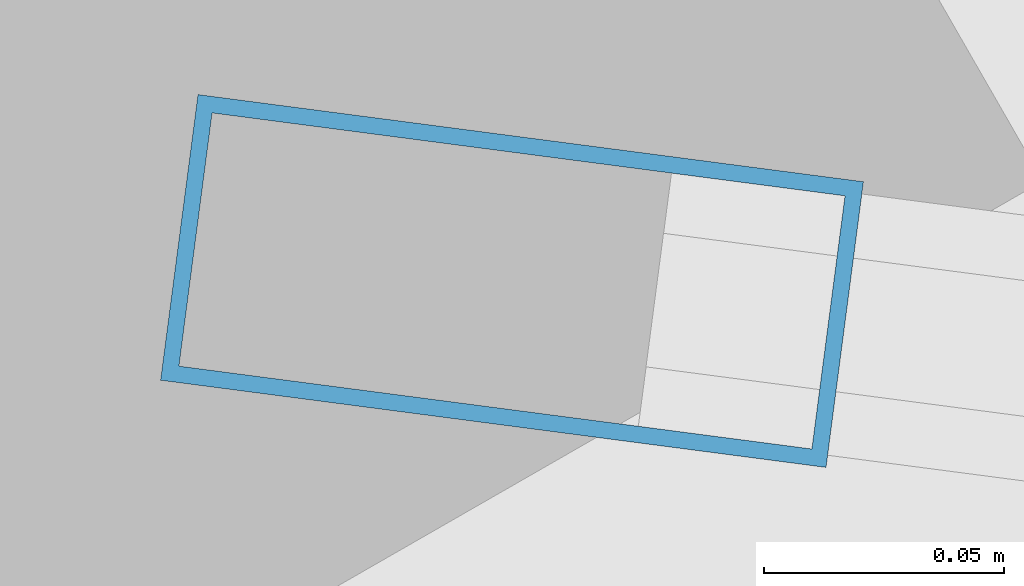
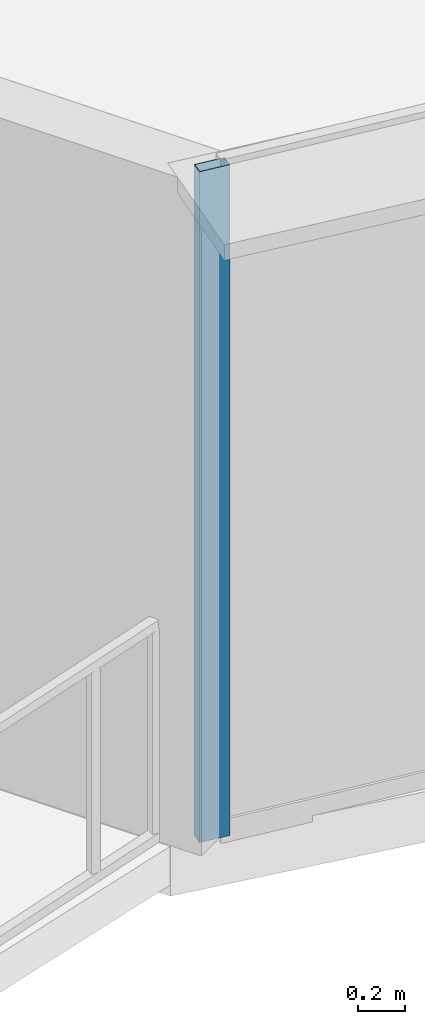
# One storey, part 2 of 35: 1 member, 1 element without a shape of its own.
"""IFC4 building model written with IfcOpenShell, lengths in metres."""

import ifcopenshell
import ifcopenshell.guid

model = None  # the IFC model being written
_history = None  # IfcOwnerHistory: only IFC2X3 demands one
_inside = {}  # id of a spatial element -> (the spatial element, [elements in it])
_under = {}  # id of a project, library or spatial element -> (it, [spatial elements below it])
_declared = {}  # id of a project -> (the project, [libraries it declares])
_typed = {}  # id of a type object -> (the type object, [elements of that type])
_made_of = {}  # id of a material, layer set ... -> (it, [elements and type objects made of it])


def new_model(schema):
    """Start an empty IFC model of exactly this schema.

    Asked for "IFC4X3", IfcOpenShell would pick the latest addendum, in which some entities
    have other attributes; the version numbers below select the first issue.
    IFC2X3 requires an IfcOwnerHistory on every rooted entity: one is made here for all.
    """
    global model, _history
    if schema == "IFC4X3":
        model = ifcopenshell.file(schema_version=(4, 3, 0, 0))
    else:
        model = ifcopenshell.file(schema=schema)
    _inside.clear()
    _under.clear()
    _declared.clear()
    _typed.clear()
    _made_of.clear()
    _history = None
    if model.schema == "IFC2X3":
        org = make("IfcOrganization", Name="unknown")
        user = make(
            "IfcPersonAndOrganization",
            ThePerson=make("IfcPerson", FamilyName="unknown"),
            TheOrganization=org,
        )
        app = make(
            "IfcApplication",
            ApplicationDeveloper=org,
            Version="unknown",
            ApplicationFullName="unknown",
            ApplicationIdentifier="unknown",
        )
        _history = make(
            "IfcOwnerHistory",
            OwningUser=user,
            OwningApplication=app,
            ChangeAction="ADDED",
            CreationDate=0,
        )
    return model


def make(cls, **values):
    """One entity of the class cls with the attributes given. An attribute that is None is left unset."""
    return model.create_entity(
        cls, **{name: value for name, value in values.items() if value is not None}
    )


def rooted(cls, **values):
    """An entity with a GlobalId (a new one), such as an element, a storey or a relation."""
    return make(cls, GlobalId=ifcopenshell.guid.new(), OwnerHistory=_history, **values)


def si_unit(unit_type, name, prefix=None):
    """IfcSIUnit, for example si_unit("LENGTHUNIT", "METRE", prefix="MILLI")."""
    return make("IfcSIUnit", UnitType=unit_type, Prefix=prefix, Name=name)


def assignment(units):
    """IfcUnitAssignment: the units of a project."""
    return None if units is None else make("IfcUnitAssignment", Units=units)


def point(xyz):
    """IfcCartesianPoint."""
    return None if xyz is None else make("IfcCartesianPoint", Coordinates=xyz)


def direction(xyz):
    """IfcDirection."""
    return None if xyz is None else make("IfcDirection", DirectionRatios=xyz)


def frame(location, z_axis=None, x_axis=None):
    """IfcAxis2Placement3D, a coordinate frame: its origin and axes. An axis left out is left unset."""
    return make(
        "IfcAxis2Placement3D",
        Location=point(location),
        Axis=direction(z_axis),
        RefDirection=direction(x_axis),
    )


def frame_2d(location, x_axis=None):
    """IfcAxis2Placement2D, a coordinate frame in the plane: its origin and x axis."""
    return make(
        "IfcAxis2Placement2D", Location=point(location), RefDirection=direction(x_axis)
    )


def origin():
    """The frame at (0, 0, 0) with its axes left unset."""
    return frame((0.0, 0.0, 0.0))


def origin_2d():
    """The frame at (0, 0) in the plane with its x axis left unset."""
    return frame_2d((0.0, 0.0))


def place(relative_to, where):
    """IfcLocalPlacement: puts the frame where relative to a parent placement (None: the world)."""
    return make(
        "IfcLocalPlacement", PlacementRelTo=relative_to, RelativePlacement=where
    )


def context(
    kind, dimensions, precision=None, world=None, true_north=None, identifier=None
):
    """IfcGeometricRepresentationContext, for example the 3D "Model" context."""
    return make(
        "IfcGeometricRepresentationContext",
        ContextIdentifier=identifier,
        ContextType=kind,
        CoordinateSpaceDimension=dimensions,
        Precision=precision,
        WorldCoordinateSystem=world,
        TrueNorth=true_north,
    )


def subcontext(parent, identifier, kind, view, scale=None):
    """IfcGeometricRepresentationSubContext, for example "Body" below "Model"."""
    return make(
        "IfcGeometricRepresentationSubContext",
        ContextIdentifier=identifier,
        ContextType=kind,
        ParentContext=parent,
        TargetScale=scale,
        TargetView=view,
    )


def project(units=None, contexts=None):
    """IfcProject with its units and contexts."""
    return rooted(
        "IfcProject",
        Name="project",
        RepresentationContexts=contexts,
        UnitsInContext=assignment(units),
    )


def spatial(cls, under=None, at=None, **own):
    """A site, building, storey or space (cls), placed at a placement, below another one or the project."""
    s = rooted(cls, ObjectPlacement=at, **own)
    if under is not None:
        _under.setdefault(under.id(), (under, []))[1].append(s)
    return s


def profile(cls, at=None, kind="AREA", **sizes):
    """A parametric profile (cls). Its sizes go by their IFC names, for example OverallWidth=200.0."""
    return make(cls, ProfileType=kind, Position=at, **sizes)


def hollow_rectangle(**sizes):
    """IfcRectangleHollowProfileDef."""
    return profile("IfcRectangleHollowProfileDef", **sizes)


def extrude(swept, where, along, depth):
    """IfcExtrudedAreaSolid: the profile swept, set in the frame where, extruded along a direction by depth."""
    return make(
        "IfcExtrudedAreaSolid",
        SweptArea=swept,
        Position=where,
        ExtrudedDirection=direction(along),
        Depth=depth,
    )


def shape(context_of_items, identifier, shape_type, items):
    """IfcShapeRepresentation: the items that make up one representation, for example the "Body"."""
    return make(
        "IfcShapeRepresentation",
        ContextOfItems=context_of_items,
        RepresentationIdentifier=identifier,
        RepresentationType=shape_type,
        Items=items,
    )


def source(mapping_origin, context_of_items, identifier, shape_type, items):
    """IfcRepresentationMap: a shape defined once, which mapped items show again and again."""
    return make(
        "IfcRepresentationMap",
        MappingOrigin=mapping_origin,
        MappedRepresentation=shape(context_of_items, identifier, shape_type, items),
    )


def transform(
    local_origin,
    x_axis=None,
    y_axis=None,
    z_axis=None,
    scale=None,
    scale2=None,
    scale3=None,
    uniform=True,
):
    """IfcCartesianTransformationOperator3D, or its non-uniform kind. x_axis, y_axis, z_axis: its Axis1, 2, 3."""
    if uniform:
        return make(
            "IfcCartesianTransformationOperator3D",
            Axis1=direction(x_axis),
            Axis2=direction(y_axis),
            LocalOrigin=point(local_origin),
            Scale=scale,
            Axis3=direction(z_axis),
        )
    return make(
        "IfcCartesianTransformationOperator3DnonUniform",
        Axis1=direction(x_axis),
        Axis2=direction(y_axis),
        LocalOrigin=point(local_origin),
        Scale=scale,
        Axis3=direction(z_axis),
        Scale2=scale2,
        Scale3=scale3,
    )


def mapped(mapping_source, mapping_target):
    """IfcMappedItem: shows the shape of a source again, moved by a transform."""
    return make(
        "IfcMappedItem", MappingSource=mapping_source, MappingTarget=mapping_target
    )


def material(Name=None, Category=None):
    """IfcMaterial."""
    return make("IfcMaterial", Name=Name, Category=Category)


def layer(
    of_material, thickness, ventilated=None, Name=None, Category=None, Priority=None
):
    """IfcMaterialLayer: one layer of a wall or slab, of a material (None: an air gap)."""
    return make(
        "IfcMaterialLayer",
        Material=of_material,
        LayerThickness=thickness,
        IsVentilated=ventilated,
        Name=Name,
        Category=Category,
        Priority=Priority,
    )


def layer_set(layers, Name=None):
    """IfcMaterialLayerSet."""
    return make("IfcMaterialLayerSet", MaterialLayers=layers, LayerSetName=Name)


def material_profile(
    of_material, cross_section, Name=None, Category=None, Priority=None
):
    """IfcMaterialProfile: a cross section and its material."""
    return make(
        "IfcMaterialProfile",
        Name=Name,
        Material=of_material,
        Profile=cross_section,
        Priority=Priority,
        Category=Category,
    )


def profile_set(profiles, Name=None, composite=None):
    """IfcMaterialProfileSet."""
    return make(
        "IfcMaterialProfileSet",
        Name=Name,
        MaterialProfiles=profiles,
        CompositeProfile=composite,
    )


def made_of(thing, what):
    """Note that an element or type object is made of a material, layer set ...; save() writes the relation."""
    if what is not None:
        _made_of.setdefault(what.id(), (what, []))[1].append(thing)
    return thing


def type_object(cls, material=None, **own):
    """A type object (cls), such as IfcWallType, which elements share."""
    return made_of(rooted(cls, **own), material)


def element(
    cls,
    number,
    at=None,
    inside=None,
    cuts=None,
    type_object=None,
    material=None,
    context=None,
    identifier="Body",
    shape_type=None,
    held_by="IfcProductDefinitionShape",
    body=None,
    shapes=None,
    **own,
):
    """One element of the class cls, such as IfcWall. Its Tag is "e" and its number.

    at: its placement. inside: the storey or other place that contains it. cuts: it is an
    opening in that element (IfcRelVoidsElement). A single representation is given by context,
    identifier, shape_type and body (its items); several are given by shapes. held_by: the class
    of the entity that holds the representations. save() writes the other relations.
    """
    e = rooted(cls, Tag="e%d" % number, ObjectPlacement=at, **own)
    if body is not None:
        shapes = [shape(context, identifier, shape_type, body)]
    if shapes is not None:
        e.Representation = make(held_by, Representations=shapes)
    if inside is not None:
        _inside.setdefault(inside.id(), (inside, []))[1].append(e)
    if cuts is not None:
        rooted(
            "IfcRelVoidsElement", RelatingBuildingElement=cuts, RelatedOpeningElement=e
        )
    if type_object is not None:
        _typed.setdefault(type_object.id(), (type_object, []))[1].append(e)
    return made_of(e, material)


def aggregate(whole, parts):
    """IfcRelAggregates: a whole, such as a stair, and the parts it consists of."""
    return rooted("IfcRelAggregates", RelatingObject=whole, RelatedObjects=parts)


def save(model, path):
    """Write the relations noted so far, then the file.

    IfcRelAggregates (storeys below a building ...), IfcRelContainedInSpatialStructure (elements
    in a storey), IfcRelDefinesByType, IfcRelAssociatesMaterial and IfcRelDeclares: one each for
    every whole, place, type object, material and project.
    """
    for whole, parts in _under.values():
        aggregate(whole, parts)
    for where, things in _inside.values():
        rooted(
            "IfcRelContainedInSpatialStructure",
            RelatedElements=things,
            RelatingStructure=where,
        )
    for kind, things in _typed.values():
        rooted("IfcRelDefinesByType", RelatedObjects=things, RelatingType=kind)
    for what, things in _made_of.values():
        rooted("IfcRelAssociatesMaterial", RelatedObjects=things, RelatingMaterial=what)
    for by, libraries in _declared.values():
        rooted("IfcRelDeclares", RelatingContext=by, RelatedDefinitions=libraries)
    model.write(path)


model = new_model("IFC4")

# Units and contexts
model_context = context("Model", 3, precision=1e-05, world=origin(), true_north=direction((0.0, 1.0)))
body_context = subcontext(model_context, "Body", "Model", "MODEL_VIEW")
ifc_project = project(units=[si_unit("LENGTHUNIT", "METRE"), si_unit("AREAUNIT", "SQUARE_METRE"), si_unit("VOLUMEUNIT", "CUBIC_METRE"), si_unit("PLANEANGLEUNIT", "RADIAN"), si_unit("MASSUNIT", "GRAM", prefix="KILO"), si_unit("THERMODYNAMICTEMPERATUREUNIT", "KELVIN"), si_unit("POWERUNIT", "WATT")], contexts=[model_context])

# Site, building, storey
site_placement = place(None, origin())
site = spatial("IfcSite", under=ifc_project, at=site_placement, CompositionType="ELEMENT")
building_placement = place(site_placement, origin())
building = spatial("IfcBuilding", under=site, at=building_placement, Name="Yunzhuo Pagoda Commons", CompositionType="ELEMENT")
storey_placement = place(building_placement, frame((0.0, 0.0, 303.669921875)))
storey = spatial("IfcBuildingStorey", under=building, at=storey_placement, Name="L76", CompositionType="ELEMENT", Elevation=303.669921875)

# Curtain wall, member
ifc_material = material(Name="Anodized aluminium 6063-T6", Category="aluminium")
ifc_layer = layer(ifc_material, 0.139892578125)
ifc_layer_set = layer_set([ifc_layer], Name="Anodized aluminium 6063-T6")
curtain_wall_type = type_object("IfcCurtainWallType", Name="CW-HI High-Zone Ribbon Curtain Wall", PredefinedType="NOTDEFINED", material=ifc_layer_set)
curtain_wall_placement = place(storey_placement, origin())
curtain_wall = element("IfcCurtainWall", 1, at=curtain_wall_placement, inside=storey, type_object=curtain_wall_type, Name="L76 curtain wall CW-L76-F1B1", PredefinedType="NOTDEFINED")
ifc_material_profile = material_profile(ifc_material, hollow_rectangle(XDim=0.06005859375, YDim=0.139892578125, WallThickness=0.00341796875, at=origin_2d()), Name="Anodized aluminium 6063-T6")
ifc_profile_set = profile_set([ifc_material_profile], Name="Anodized aluminium 6063-T6")
member_type = type_object("IfcMemberType", Name="CW-HI-M Mullion RHS 140x60x3.5", PredefinedType="MULLION", material=ifc_profile_set)
shared_shape = source(origin(), body_context, "Body", "SweptSolid", [
    extrude(hollow_rectangle(XDim=0.06005859375, YDim=0.139892578125, WallThickness=0.00341796875, at=origin_2d()), origin(), (0.0, 0.0, 1.0), 3.469970703125),
])
member_placement = place(storey_placement, frame((20.662841796875, 22.013916015625, 0.0), z_axis=(0.0, 0.0, 1.0), x_axis=(0.129855071238, 0.991532985066, 0.0)))
member = element("IfcMember", 2, at=member_placement, type_object=member_type, Name="CW mullion 1", PredefinedType="MULLION", context=body_context, shape_type="MappedRepresentation", body=[
    mapped(shared_shape, transform((0.0, 0.0, 0.0), scale=1.0)),
])
aggregate(curtain_wall, [member])

save(model, "model.ifc")
